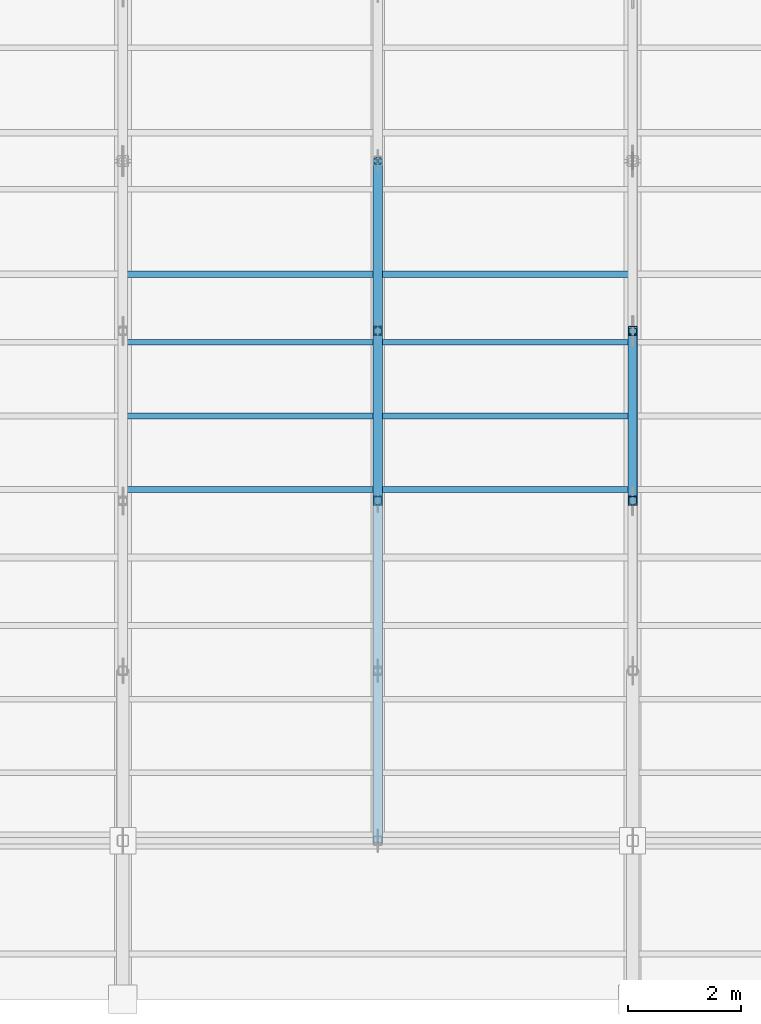
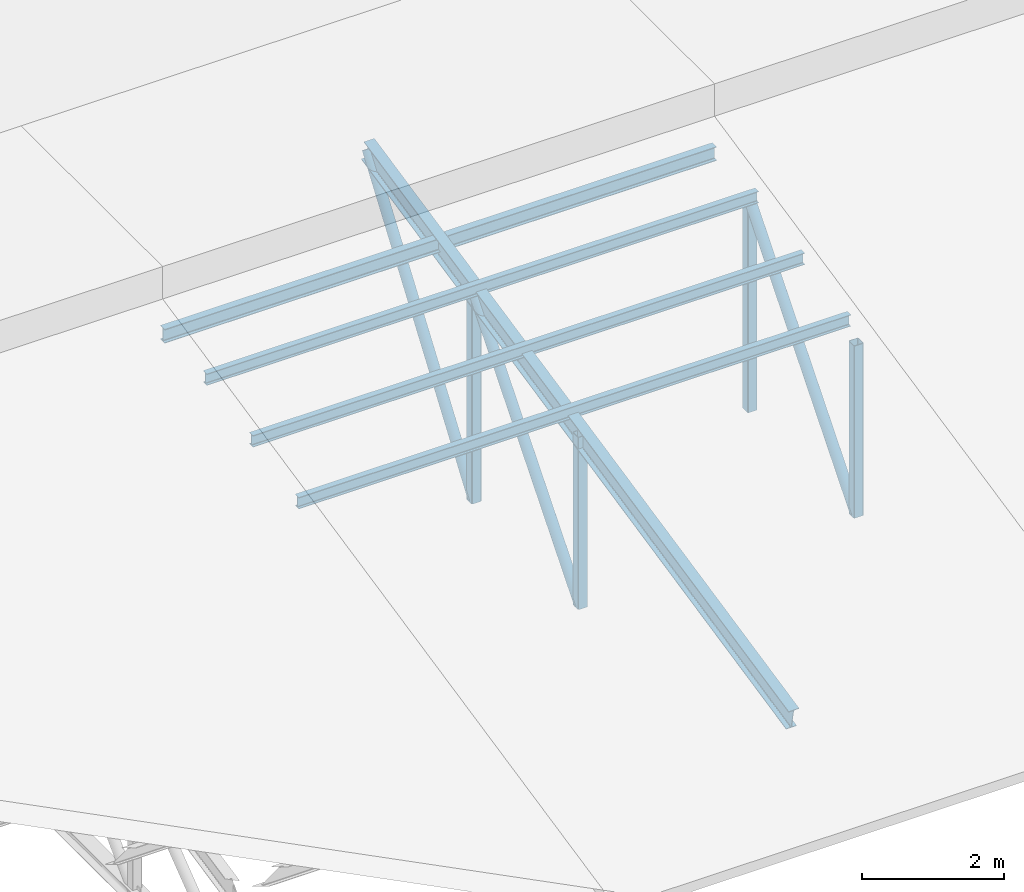
# One storey, part 14 of 43: 12 members.
"""IFC4 building model written with IfcOpenShell, lengths in metres."""

from ifc_helpers import new_model, si_unit, direction, frame, origin, origin_2d, place, context, subcontext, project, spatial, hollow_rectangle, hollow_circle, i_section, extrude, material, material_profile, profile_set, type_object, element, save


model = new_model("IFC4")

# Units and contexts
model_context = context("Model", 3, precision=1e-05, world=origin(), true_north=direction((0.0, 1.0)))
body_context = subcontext(model_context, "Body", "Model", "MODEL_VIEW")
ifc_project = project(units=[si_unit("LENGTHUNIT", "METRE"), si_unit("AREAUNIT", "SQUARE_METRE"), si_unit("VOLUMEUNIT", "CUBIC_METRE"), si_unit("PLANEANGLEUNIT", "RADIAN"), si_unit("MASSUNIT", "GRAM", prefix="KILO")], contexts=[model_context])

# Site, building, storey
site_placement = place(None, origin())
site = spatial("IfcSite", under=ifc_project, at=site_placement, CompositionType="ELEMENT")
building_placement = place(site_placement, origin())
building = spatial("IfcBuilding", under=site, at=building_placement, Name="Serraforn Aerial Cableway Station", CompositionType="ELEMENT")
storey_placement = place(building_placement, frame((0.0, 0.0, 18.300048828125)))
storey = spatial("IfcBuildingStorey", under=building, at=storey_placement, Name="RF", CompositionType="ELEMENT", Elevation=18.300048828125)

# Members
ifc_material_1 = material(Name="Steel S355J2", Category="steel")
ifc_material_profile_1 = material_profile(ifc_material_1, hollow_circle(Radius=0.084228515625, WallThickness=0.008056640625, at=origin_2d()), Name="CHS 168.3x8.0")
ifc_profile_set_1 = profile_set([ifc_material_profile_1], Name="Steel S355J2")
member_type_1 = type_object("IfcMemberType", Name="MEM-DG-CHS168", PredefinedType="BRACE", material=ifc_profile_set_1)
for number, where, z_axis, x_axis, name in (
    (1, (63.60009765625, 24.0, -1.35009765625), (0.0, 0.641405529785, 0.767202024477), (-1.0, 0.0, 0.0), "Roof Truss TR-05 Diagonal 3"),
    (2, (59.10009765625, 24.0, -1.35009765625), (0.0, 0.641405529785, 0.767202024477), (-1.0, 0.0, 0.0), "Intermediate Truss TRM-04 Diagonal 3"),
):
    element("IfcMember", number, at=place(storey_placement, frame(where, z_axis=z_axis, x_axis=x_axis)), inside=storey, type_object=member_type_1, Name=name, PredefinedType="BRACE", context=body_context, shape_type="SweptSolid", body=[
        extrude(hollow_circle(Radius=0.084228515625, WallThickness=0.008056640625, at=origin_2d()), origin(), (0.0, 0.0, 1.0), 4.67724609375),
    ])
member_1_placement = place(storey_placement, frame((59.10009765625, 27.0, -1.35009765625), z_axis=(0.0, 0.578856146563, 0.815429679118), x_axis=(-1.0, 0.0, 0.0)))
element("IfcMember", 3, at=member_1_placement, inside=storey, type_object=member_type_1, Name="Intermediate Truss TRM-04 Diagonal 4", PredefinedType="BRACE", context=body_context, shape_type="SweptSolid", body=[
    extrude(hollow_circle(Radius=0.084228515625, WallThickness=0.008056640625, at=origin_2d()), origin(), (0.0, 0.0, 1.0), 5.1826171875),
])
ifc_material_2 = material(Name="Steel S355JR", Category="steel")
ifc_material_profile_2 = material_profile(ifc_material_2, i_section(OverallWidth=0.10009765625, OverallDepth=0.199951171875, WebThickness=0.005615234375, FlangeThickness=0.008544921875, FilletRadius=0.011962890625, at=origin_2d()), Name="IPE 200")
ifc_profile_set_2 = profile_set([ifc_material_profile_2], Name="Steel S355JR")
member_type_2 = type_object("IfcMemberType", Name="MEM-PR-IPE200", PredefinedType="PURLIN", material=ifc_profile_set_2)
for number, where, z_axis, x_axis, name in (
    (4, (54.60009765625, 25.5, 2.163330078125), (1.0, 0.0, 0.0), (0.0, 1.0, 0.0), "Boarding Hall Purlin 4-5"),
    (5, (54.60009765625, 24.199951171875, 1.88720703125), (1.0, 0.0, 0.0), (0.0, 1.0, 0.0), "Boarding Hall Secondary Purlin 4-3"),
    (6, (54.60009765625, 26.800048828125, 2.439697265625), (1.0, 0.0, 0.0), (0.0, 1.0, 0.0), "Boarding Hall Secondary Purlin 4-4"),
):
    element("IfcMember", number, at=place(storey_placement, frame(where, z_axis=z_axis, x_axis=x_axis)), inside=storey, type_object=member_type_2, Name=name, PredefinedType="PURLIN", context=body_context, shape_type="SweptSolid", body=[
        extrude(i_section(OverallWidth=0.10009765625, OverallDepth=0.199951171875, WebThickness=0.005615234375, FlangeThickness=0.008544921875, FilletRadius=0.011962890625, at=origin_2d()), origin(), (0.0, 0.0, 1.0), 9.0),
    ])
ifc_material_profile_3 = material_profile(ifc_material_2, i_section(OverallWidth=0.1201171875, OverallDepth=0.239990234375, WebThickness=0.006103515625, FlangeThickness=0.009765625, FilletRadius=0.014892578125, at=origin_2d()), Name="IPE 240")
ifc_profile_set_3 = profile_set([ifc_material_profile_3], Name="Steel S355JR")
member_type_3 = type_object("IfcMemberType", Name="MEM-PR-IPE240", PredefinedType="PURLIN", material=ifc_profile_set_3)
member_2_placement = place(storey_placement, frame((54.60009765625, 28.0, 2.4658203125), z_axis=(1.0, 0.0, 0.0), x_axis=(0.0, 1.0, 0.0)))
element("IfcMember", 7, at=member_2_placement, inside=storey, type_object=member_type_3, Name="Boarding Hall Purlin 4-6", PredefinedType="PURLIN", context=body_context, shape_type="SweptSolid", body=[
    extrude(i_section(OverallWidth=0.1201171875, OverallDepth=0.239990234375, WebThickness=0.006103515625, FlangeThickness=0.009765625, FilletRadius=0.014892578125, at=origin_2d()), origin(), (0.0, 0.0, 1.0), 9.0),
])
ifc_material_profile_4 = material_profile(ifc_material_1, i_section(OverallWidth=0.169921875, OverallDepth=0.360107421875, WebThickness=0.008056640625, FlangeThickness=0.0126953125, FilletRadius=0.01806640625, at=origin_2d()), Name="IPE 360")
ifc_profile_set_4 = profile_set([ifc_material_profile_4], Name="Steel S355J2")
member_type_4 = type_object("IfcMemberType", Name="MEM-TC-IPE360", PredefinedType="CHORD", material=ifc_profile_set_4)
member_3_placement = place(storey_placement, frame((59.10009765625, 18.0, 0.3251953125), z_axis=(0.0, 0.978145901394, 0.20791968542), x_axis=(-1.0, 0.0, 0.0)))
element("IfcMember", 8, at=member_3_placement, inside=storey, type_object=member_type_4, Name="Intermediate Truss TRM-04 Top Chord 1", PredefinedType="CHORD", context=body_context, shape_type="SweptSolid", body=[
    extrude(i_section(OverallWidth=0.169921875, OverallDepth=0.360107421875, WebThickness=0.008056640625, FlangeThickness=0.0126953125, FilletRadius=0.01806640625, at=origin_2d()), origin(), (0.0, 0.0, 1.0), 12.26806640625),
])
ifc_material_profile_5 = material_profile(ifc_material_1, hollow_rectangle(XDim=0.159912109375, YDim=0.159912109375, WallThickness=0.008056640625, InnerFilletRadius=0.008056640625, OuterFilletRadius=0.01611328125, at=origin_2d()), Name="SHS 160x160x8.0")
ifc_profile_set_5 = profile_set([ifc_material_profile_5], Name="Steel S355J2")
member_type_5 = type_object("IfcMemberType", Name="MEM-VP-SHS160", PredefinedType="STRUT", material=ifc_profile_set_5)
member_4_placement = place(storey_placement, frame((63.60009765625, 24.0, -1.360107421875), z_axis=(0.0, 0.0, 1.0), x_axis=(1.0, 0.0, 0.0)))
element("IfcMember", 9, at=member_4_placement, inside=storey, type_object=member_type_5, Name="Roof Truss TR-05 Vertical Post 3", PredefinedType="STRUT", context=body_context, shape_type="SweptSolid", body=[
    extrude(hollow_rectangle(XDim=0.159912109375, YDim=0.159912109375, WallThickness=0.008056640625, InnerFilletRadius=0.008056640625, OuterFilletRadius=0.01611328125, at=origin_2d()), origin(), (0.0, 0.0, 1.0), 2.970703125),
])
member_5_placement = place(storey_placement, frame((63.60009765625, 27.0, -1.360107421875), z_axis=(0.0, 0.0, 1.0), x_axis=(1.0, 0.0, 0.0)))
element("IfcMember", 10, at=member_5_placement, inside=storey, type_object=member_type_5, Name="Roof Truss TR-05 Vertical Post 4", PredefinedType="STRUT", context=body_context, shape_type="SweptSolid", body=[
    extrude(hollow_rectangle(XDim=0.159912109375, YDim=0.159912109375, WallThickness=0.008056640625, InnerFilletRadius=0.008056640625, OuterFilletRadius=0.01611328125, at=origin_2d()), origin(), (0.0, 0.0, 1.0), 3.6083984375),
])
member_6_placement = place(storey_placement, frame((59.10009765625, 24.0, -1.360107421875), z_axis=(0.0, 0.0, 1.0), x_axis=(1.0, 0.0, 0.0)))
element("IfcMember", 11, at=member_6_placement, inside=storey, type_object=member_type_5, Name="Intermediate Truss TRM-04 Post 3", PredefinedType="STRUT", context=body_context, shape_type="SweptSolid", body=[
    extrude(hollow_rectangle(XDim=0.159912109375, YDim=0.159912109375, WallThickness=0.008056640625, InnerFilletRadius=0.008056640625, OuterFilletRadius=0.01611328125, at=origin_2d()), origin(), (0.0, 0.0, 1.0), 2.970703125),
])
member_7_placement = place(storey_placement, frame((59.10009765625, 27.0, -1.360107421875), z_axis=(0.0, 0.0, 1.0), x_axis=(1.0, 0.0, 0.0)))
element("IfcMember", 12, at=member_7_placement, inside=storey, type_object=member_type_5, Name="Intermediate Truss TRM-04 Post 4", PredefinedType="STRUT", context=body_context, shape_type="SweptSolid", body=[
    extrude(hollow_rectangle(XDim=0.159912109375, YDim=0.159912109375, WallThickness=0.008056640625, InnerFilletRadius=0.008056640625, OuterFilletRadius=0.01611328125, at=origin_2d()), origin(), (0.0, 0.0, 1.0), 3.6083984375),
])

save(model, "model.ifc")
